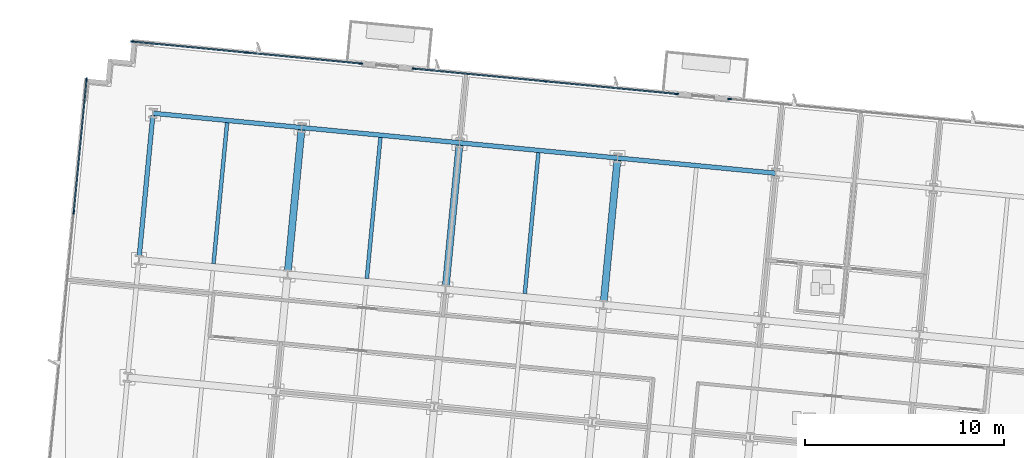
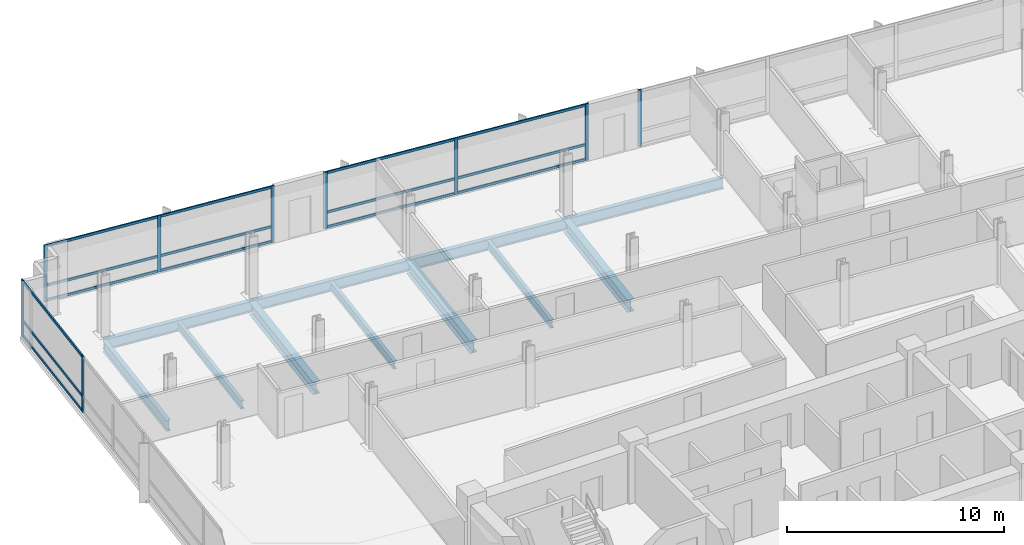
# One storey, part 7 of 16: 24 members, 11 beams, 4 elements without a shape of their own.
"""IFC4 building model written with IfcOpenShell, lengths in metres."""

from ifc_helpers import new_model, si_unit, direction, frame, origin, origin_2d, place, context, subcontext, project, spatial, rectangle, i_section, extrude, material, material_profile, profile_set, type_object, element, aggregate, save


model = new_model("IFC4")

# Units and contexts
model_context = context("Model", 3, precision=1e-05, world=origin(), true_north=direction((0.0, 1.0)))
body_context = subcontext(model_context, "Body", "Model", "MODEL_VIEW")
ifc_project = project(units=[si_unit("LENGTHUNIT", "METRE"), si_unit("AREAUNIT", "SQUARE_METRE"), si_unit("VOLUMEUNIT", "CUBIC_METRE"), si_unit("PLANEANGLEUNIT", "RADIAN"), si_unit("MASSUNIT", "GRAM", prefix="KILO")], contexts=[model_context])

# Site, building, storey
site_placement = place(None, origin())
site = spatial("IfcSite", under=ifc_project, at=site_placement, CompositionType="ELEMENT")
building_placement = place(site_placement, origin())
building = spatial("IfcBuilding", under=site, at=building_placement, Name="Solmavex Isthmus Hotel", CompositionType="ELEMENT")
storey_placement = place(building_placement, frame((0.0, 0.0, 160.050048828125)))
storey = spatial("IfcBuildingStorey", under=building, at=storey_placement, Name="L43", CompositionType="ELEMENT", Elevation=160.050048828125)

# Beams
ifc_material_1 = material(Name="Steel ASTM A992 Grade 50", Category="steel")
ifc_material_profile_1 = material_profile(ifc_material_1, i_section(OverallWidth=0.354736328125, OverallDepth=0.695556640625, WebThickness=0.015380859375, FlangeThickness=0.02490234375, FilletRadius=0.017822265625, at=origin_2d()), Name="W27X146")
ifc_profile_set_1 = profile_set([ifc_material_profile_1], Name="Steel ASTM A992 Grade 50")
beam_type_1 = type_object("IfcBeamType", Name="BM-BG-W27X146", PredefinedType="BEAM", material=ifc_profile_set_1)
beam_1_placement = place(storey_placement, frame((-15.254150390625, 13.07275390625, -0.60791015625), z_axis=(0.095839524498, 0.995396798038, 0.0), x_axis=(-0.995396798038, 0.095839524498, 0.0)))
element("IfcBeam", 1, at=beam_1_placement, inside=storey, type_object=beam_type_1, Name="Floor Beam L43-VG26", PredefinedType="BEAM", context=body_context, shape_type="SweptSolid", body=[
    extrude(i_section(OverallWidth=0.354736328125, OverallDepth=0.695556640625, WebThickness=0.015380859375, FlangeThickness=0.02490234375, FilletRadius=0.017822265625, at=origin_2d()), origin(), (0.0, 0.0, 1.0), 7.099609375),
])
beam_2_placement = place(storey_placement, frame((-7.3349609375, 12.310302734375, -0.60791015625), z_axis=(0.09587687835, 0.9953932008, 0.0), x_axis=(-0.9953932008, 0.09587687835, 0.0)))
element("IfcBeam", 2, at=beam_2_placement, inside=storey, type_object=beam_type_1, Name="Floor Beam L43-VG29", PredefinedType="BEAM", context=body_context, shape_type="SweptSolid", body=[
    extrude(i_section(OverallWidth=0.354736328125, OverallDepth=0.695556640625, WebThickness=0.015380859375, FlangeThickness=0.02490234375, FilletRadius=0.017822265625, at=origin_2d()), origin(), (0.0, 0.0, 1.0), 7.099365234375),
])
beam_3_placement = place(storey_placement, frame((0.58447265625, 11.547607421875, -0.60791015625), z_axis=(0.095839524498, 0.995396798038, 0.0), x_axis=(-0.995396798038, 0.095839524498, 0.0)))
element("IfcBeam", 3, at=beam_3_placement, inside=storey, type_object=beam_type_1, Name="Floor Beam L43-VG32", PredefinedType="BEAM", context=body_context, shape_type="SweptSolid", body=[
    extrude(i_section(OverallWidth=0.354736328125, OverallDepth=0.695556640625, WebThickness=0.015380859375, FlangeThickness=0.02490234375, FilletRadius=0.017822265625, at=origin_2d()), origin(), (0.0, 0.0, 1.0), 7.099609375),
])
ifc_material_profile_2 = material_profile(ifc_material_1, i_section(OverallWidth=0.1904296875, OverallDepth=0.456787109375, WebThickness=0.009033203125, FlangeThickness=0.014404296875, FilletRadius=0.0126953125, at=origin_2d()), Name="W18X50")
ifc_profile_set_2 = profile_set([ifc_material_profile_2], Name="Steel ASTM A992 Grade 50")
beam_type_2 = type_object("IfcBeamType", Name="BM-BJ-W18X50", PredefinedType="JOIST", material=ifc_profile_set_2)
for number, where, z_axis, x_axis, name in (
    (4, (-18.98095703125, 13.431640625, -0.488525390625), (0.095842805175, 0.99539648216, 0.0), (-0.99539648216, 0.095842805175, 0.0), "Secondary Floor Joist L43-J03"),
    (5, (-11.29443359375, 12.691650390625, -0.488525390625), (0.095842805175, 0.99539648216, 0.0), (-0.99539648216, 0.095842805175, 0.0), "Secondary Floor Joist L43-J06"),
    (6, (-3.375244140625, 11.928955078125, -0.488525390625), (0.09587687835, 0.9953932008, 0.0), (-0.9953932008, 0.09587687835, 0.0), "Secondary Floor Joist L43-J09"),
):
    element("IfcBeam", number, at=place(storey_placement, frame(where, z_axis=z_axis, x_axis=x_axis)), inside=storey, type_object=beam_type_2, Name=name, PredefinedType="JOIST", context=body_context, shape_type="SweptSolid", body=[
        extrude(i_section(OverallWidth=0.1904296875, OverallDepth=0.456787109375, WebThickness=0.009033203125, FlangeThickness=0.014404296875, FilletRadius=0.0126953125, at=origin_2d()), origin(), (0.0, 0.0, 1.0), 7.099365234375),
    ])
ifc_material_profile_3 = material_profile(ifc_material_1, i_section(OverallWidth=0.230224609375, OverallDepth=0.617431640625, WebThickness=0.01318359375, FlangeThickness=0.022216796875, FilletRadius=0.01513671875, at=origin_2d()), Name="W24X94")
ifc_profile_set_3 = profile_set([ifc_material_profile_3], Name="Steel ASTM A992 Grade 50")
beam_type_3 = type_object("IfcBeamType", Name="BM-SP-W24X94", PredefinedType="SPANDREL", material=ifc_profile_set_3)
beam_4_placement = place(storey_placement, frame((-22.016357421875, 20.971923828125, -0.56884765625), z_axis=(0.995395279593, -0.095855293875, 0.0), x_axis=(0.095855293875, 0.995395279593, 0.0)))
element("IfcBeam", 7, at=beam_4_placement, inside=storey, type_object=beam_type_3, Name="Floor Girder L43-UG15", PredefinedType="SPANDREL", context=body_context, shape_type="SweptSolid", body=[
    extrude(i_section(OverallWidth=0.230224609375, OverallDepth=0.617431640625, WebThickness=0.01318359375, FlangeThickness=0.022216796875, FilletRadius=0.01513671875, at=origin_2d()), origin(), (0.0, 0.0, 1.0), 7.488037109375),
])
for number, where, z_axis, x_axis, name in (
    (8, (-14.562744140625, 20.254150390625, -0.56884765625), (0.995397440011, -0.095832856685, 0.0), (0.095832856685, 0.995397440011, 0.0), "Floor Girder L43-UG16"),
    (9, (-6.643310546875, 19.49169921875, -0.56884765625), (0.995394512348, -0.095863260885, 0.0), (0.095863260885, 0.995394512348, 0.0), "Floor Girder L43-UG17"),
):
    element("IfcBeam", number, at=place(storey_placement, frame(where, z_axis=z_axis, x_axis=x_axis)), inside=storey, type_object=beam_type_3, Name=name, PredefinedType="SPANDREL", context=body_context, shape_type="SweptSolid", body=[
        extrude(i_section(OverallWidth=0.230224609375, OverallDepth=0.617431640625, WebThickness=0.01318359375, FlangeThickness=0.022216796875, FilletRadius=0.01513671875, at=origin_2d()), origin(), (0.0, 0.0, 1.0), 7.9560546875),
    ])
beam_5_placement = place(storey_placement, frame((1.276123046875, 18.72900390625, -0.56884765625), z_axis=(0.995397158178, -0.095835783981, 0.0), x_axis=(0.095835783981, 0.995397158178, 0.0)))
element("IfcBeam", 10, at=beam_5_placement, inside=storey, type_object=beam_type_3, Name="Floor Girder L43-UG18", PredefinedType="SPANDREL", context=body_context, shape_type="SweptSolid", body=[
    extrude(i_section(OverallWidth=0.230224609375, OverallDepth=0.617431640625, WebThickness=0.01318359375, FlangeThickness=0.022216796875, FilletRadius=0.01513671875, at=origin_2d()), origin(), (0.0, 0.0, 1.0), 7.955810546875),
])
beam_6_placement = place(storey_placement, frame((-22.707763671875, 13.79052734375, -0.56884765625), z_axis=(0.095842805175, 0.99539648216, 0.0), x_axis=(-0.99539648216, 0.095842805175, 0.0)))
element("IfcBeam", 11, at=beam_6_placement, inside=storey, type_object=beam_type_3, Name="Floor Beam L43-VG23", PredefinedType="SPANDREL", context=body_context, shape_type="SweptSolid", body=[
    extrude(i_section(OverallWidth=0.230224609375, OverallDepth=0.617431640625, WebThickness=0.01318359375, FlangeThickness=0.022216796875, FilletRadius=0.01513671875, at=origin_2d()), origin(), (0.0, 0.0, 1.0), 7.099365234375),
])

# Curtain wall, members
ifc_material_2 = material(Name="Aluminium alloy 6063-T6", Category="aluminium")
curtain_wall_type = type_object("IfcCurtainWallType", Name="CW-SYS-03", PredefinedType="NOTDEFINED", material=ifc_material_2)
curtain_wall_1_placement = place(storey_placement, origin())
curtain_wall_1 = element("IfcCurtainWall", 12, at=curtain_wall_1_placement, inside=storey, type_object=curtain_wall_type, Name="Stick Curtain Wall CWL-L43-N1", PredefinedType="NOTDEFINED")
ifc_material_profile_4 = material_profile(ifc_material_2, rectangle(XDim=0.070068359375, YDim=0.179931640625, at=origin_2d()), Name="CWM-70X180")
ifc_profile_set_4 = profile_set([ifc_material_profile_4], Name="Aluminium alloy 6063-T6")
member_type_1 = type_object("IfcMemberType", Name="CW-SYS-03-MUL", PredefinedType="MULLION", material=ifc_profile_set_4)
member_1_placement = place(storey_placement, frame((-23.04150390625, 24.566650390625, 0.0), z_axis=(0.0, 0.0, 1.0), x_axis=(0.095845521008, 0.995396220659, 0.0)))
member_1 = element("IfcMember", 13, at=member_1_placement, type_object=member_type_1, Name="CW-03 mullion 1", PredefinedType="MULLION", context=body_context, shape_type="SweptSolid", body=[
    extrude(rectangle(XDim=0.070068359375, YDim=0.179931640625, at=origin_2d()), origin(), (0.0, 0.0, 1.0), 3.18994140625),
])
member_2_placement = place(storey_placement, frame((-17.31982421875, 24.015869140625, 0.0), z_axis=(0.0, 0.0, 1.0), x_axis=(0.095845521008, 0.995396220659, 0.0)))
member_2 = element("IfcMember", 14, at=member_2_placement, type_object=member_type_1, Name="CW-03 mullion 2", PredefinedType="MULLION", context=body_context, shape_type="SweptSolid", body=[
    extrude(rectangle(XDim=0.070068359375, YDim=0.179931640625, at=origin_2d()), origin(), (0.0, 0.0, 1.0), 3.18994140625),
])
member_3_placement = place(storey_placement, frame((-11.598388671875, 23.46484375, 0.0), z_axis=(0.0, 0.0, 1.0), x_axis=(0.095845521008, 0.995396220659, 0.0)))
member_3 = element("IfcMember", 15, at=member_3_placement, type_object=member_type_1, Name="CW-03 mullion 3", PredefinedType="MULLION", context=body_context, shape_type="SweptSolid", body=[
    extrude(rectangle(XDim=0.070068359375, YDim=0.179931640625, at=origin_2d()), origin(), (0.0, 0.0, 1.0), 3.18994140625),
])

curtain_wall_2_placement = place(storey_placement, origin())
curtain_wall_2 = element("IfcCurtainWall", 16, at=curtain_wall_2_placement, inside=storey, type_object=curtain_wall_type, Name="Stick Curtain Wall CWL-L43-N2", PredefinedType="NOTDEFINED")
member_4_placement = place(storey_placement, frame((-8.940673828125, 23.208984375, 0.0), z_axis=(0.0, 0.0, 1.0), x_axis=(0.095845138178, 0.995396257521, 0.0)))
member_4 = element("IfcMember", 17, at=member_4_placement, type_object=member_type_1, Name="CW-03 mullion 1", PredefinedType="MULLION", context=body_context, shape_type="SweptSolid", body=[
    extrude(rectangle(XDim=0.070068359375, YDim=0.179931640625, at=origin_2d()), origin(), (0.0, 0.0, 1.0), 3.18994140625),
])
member_5_placement = place(storey_placement, frame((-2.35009765625, 22.574462890625, 0.0), z_axis=(0.0, 0.0, 1.0), x_axis=(0.095845138178, 0.995396257521, 0.0)))
member_5 = element("IfcMember", 18, at=member_5_placement, type_object=member_type_1, Name="CW-03 mullion 2", PredefinedType="MULLION", context=body_context, shape_type="SweptSolid", body=[
    extrude(rectangle(XDim=0.070068359375, YDim=0.179931640625, at=origin_2d()), origin(), (0.0, 0.0, 1.0), 3.18994140625),
])
member_6_placement = place(storey_placement, frame((4.240478515625, 21.939697265625, 0.0), z_axis=(0.0, 0.0, 1.0), x_axis=(0.095845138178, 0.995396257521, 0.0)))
member_6 = element("IfcMember", 19, at=member_6_placement, type_object=member_type_1, Name="CW-03 mullion 3", PredefinedType="MULLION", context=body_context, shape_type="SweptSolid", body=[
    extrude(rectangle(XDim=0.070068359375, YDim=0.179931640625, at=origin_2d()), origin(), (0.0, 0.0, 1.0), 3.18994140625),
])

# Curtain wall, member
curtain_wall_3_placement = place(storey_placement, origin())
curtain_wall_3 = element("IfcCurtainWall", 20, at=curtain_wall_3_placement, inside=storey, type_object=curtain_wall_type, Name="Stick Curtain Wall CWL-L43-N3", PredefinedType="NOTDEFINED")
member_7_placement = place(storey_placement, frame((6.898193359375, 21.683837890625, 0.0), z_axis=(0.0, 0.0, 1.0), x_axis=(0.095845735304, 0.995396200025, 0.0)))
member_7 = element("IfcMember", 21, at=member_7_placement, type_object=member_type_1, Name="CW-03 mullion 1", PredefinedType="MULLION", context=body_context, shape_type="SweptSolid", body=[
    extrude(rectangle(XDim=0.070068359375, YDim=0.179931640625, at=origin_2d()), origin(), (0.0, 0.0, 1.0), 3.18994140625),
])
aggregate(curtain_wall_3, [member_7])

# Curtain wall, members
curtain_wall_4_placement = place(storey_placement, origin())
curtain_wall_4 = element("IfcCurtainWall", 22, at=curtain_wall_4_placement, inside=storey, type_object=curtain_wall_type, Name="Stick Curtain Wall CWL-L43-W1", PredefinedType="NOTDEFINED")
member_8_placement = place(storey_placement, frame((-25.990234375, 16.010009765625, 0.0), z_axis=(0.0, 0.0, 1.0), x_axis=(-0.995396190038, 0.09584583902, 0.0)))
member_8 = element("IfcMember", 23, at=member_8_placement, type_object=member_type_1, Name="CW-03 mullion 5", PredefinedType="MULLION", context=body_context, shape_type="SweptSolid", body=[
    extrude(rectangle(XDim=0.070068359375, YDim=0.179931640625, at=origin_2d()), origin(), (0.0, 0.0, 1.0), 3.18994140625),
])
member_9_placement = place(storey_placement, frame((-25.349365234375, 22.6640625, 0.0), z_axis=(0.0, 0.0, 1.0), x_axis=(-0.995396190038, 0.09584583902, 0.0)))
member_9 = element("IfcMember", 24, at=member_9_placement, type_object=member_type_1, Name="CW-03 mullion 6", PredefinedType="MULLION", context=body_context, shape_type="SweptSolid", body=[
    extrude(rectangle(XDim=0.070068359375, YDim=0.179931640625, at=origin_2d()), origin(), (0.0, 0.0, 1.0), 3.18994140625),
])

# Member
ifc_material_profile_5 = material_profile(ifc_material_2, rectangle(XDim=0.070068359375, YDim=0.139892578125, at=origin_2d()), Name="CWT-70X140")
ifc_profile_set_5 = profile_set([ifc_material_profile_5], Name="Aluminium alloy 6063-T6")
member_type_2 = type_object("IfcMemberType", Name="CW-SYS-03-TRN", PredefinedType="USERDEFINED", material=ifc_profile_set_5)
member_10_placement = place(storey_placement, frame((-23.006591796875, 24.563232421875, 0.070068359375), z_axis=(0.995396573568, -0.095841855831, 0.0), x_axis=(0.095841855831, 0.995396573568, 0.0)))
member_10 = element("IfcMember", 25, at=member_10_placement, type_object=member_type_2, Name="CW-03 transom 1.1", ObjectType="TRANSOM", PredefinedType="USERDEFINED", context=body_context, shape_type="SweptSolid", body=[
    extrude(rectangle(XDim=0.070068359375, YDim=0.139892578125, at=origin_2d()), origin(), (0.0, 0.0, 1.0), 5.677978515625),
])

member_11_placement = place(storey_placement, frame((-23.006591796875, 24.563232421875, 0.89990234375), z_axis=(0.995396573568, -0.095841855831, 0.0), x_axis=(0.095841855831, 0.995396573568, 0.0)))
member_11 = element("IfcMember", 26, at=member_11_placement, type_object=member_type_2, Name="CW-03 transom 1.2", ObjectType="TRANSOM", PredefinedType="USERDEFINED", context=body_context, shape_type="SweptSolid", body=[
    extrude(rectangle(XDim=0.070068359375, YDim=0.139892578125, at=origin_2d()), origin(), (0.0, 0.0, 1.0), 5.677978515625),
])

member_12_placement = place(storey_placement, frame((-23.006591796875, 24.563232421875, 3.119873046875), z_axis=(0.995396573568, -0.095841855831, 0.0), x_axis=(0.095841855831, 0.995396573568, 0.0)))
member_12 = element("IfcMember", 27, at=member_12_placement, type_object=member_type_2, Name="CW-03 transom 1.3", ObjectType="TRANSOM", PredefinedType="USERDEFINED", context=body_context, shape_type="SweptSolid", body=[
    extrude(rectangle(XDim=0.070068359375, YDim=0.139892578125, at=origin_2d()), origin(), (0.0, 0.0, 1.0), 5.677978515625),
])

member_13_placement = place(storey_placement, frame((-17.28515625, 24.012451171875, 0.070068359375), z_axis=(0.995396968505, -0.095837753998, 0.0), x_axis=(0.095837753998, 0.995396968505, 0.0)))
member_13 = element("IfcMember", 28, at=member_13_placement, type_object=member_type_2, Name="CW-03 transom 2.1", ObjectType="TRANSOM", PredefinedType="USERDEFINED", context=body_context, shape_type="SweptSolid", body=[
    extrude(rectangle(XDim=0.070068359375, YDim=0.139892578125, at=origin_2d()), origin(), (0.0, 0.0, 1.0), 5.67822265625),
])

member_14_placement = place(storey_placement, frame((-17.28515625, 24.012451171875, 0.89990234375), z_axis=(0.995396968505, -0.095837753998, 0.0), x_axis=(0.095837753998, 0.995396968505, 0.0)))
member_14 = element("IfcMember", 29, at=member_14_placement, type_object=member_type_2, Name="CW-03 transom 2.2", ObjectType="TRANSOM", PredefinedType="USERDEFINED", context=body_context, shape_type="SweptSolid", body=[
    extrude(rectangle(XDim=0.070068359375, YDim=0.139892578125, at=origin_2d()), origin(), (0.0, 0.0, 1.0), 5.67822265625),
])

member_15_placement = place(storey_placement, frame((-17.28515625, 24.012451171875, 3.119873046875), z_axis=(0.995396968505, -0.095837753998, 0.0), x_axis=(0.095837753998, 0.995396968505, 0.0)))
member_15 = element("IfcMember", 30, at=member_15_placement, type_object=member_type_2, Name="CW-03 transom 2.3", ObjectType="TRANSOM", PredefinedType="USERDEFINED", context=body_context, shape_type="SweptSolid", body=[
    extrude(rectangle(XDim=0.070068359375, YDim=0.139892578125, at=origin_2d()), origin(), (0.0, 0.0, 1.0), 5.67822265625),
])

aggregate(curtain_wall_1, [member_1, member_2, member_3, member_10, member_11, member_12, member_13, member_14, member_15])

member_16_placement = place(storey_placement, frame((-8.90576171875, 23.20556640625, 0.070068359375), z_axis=(0.995395431006, -0.095853721538, 0.0), x_axis=(0.095853721538, 0.995395431006, 0.0)))
member_16 = element("IfcMember", 31, at=member_16_placement, type_object=member_type_2, Name="CW-03 transom 1.1", ObjectType="TRANSOM", PredefinedType="USERDEFINED", context=body_context, shape_type="SweptSolid", body=[
    extrude(rectangle(XDim=0.070068359375, YDim=0.139892578125, at=origin_2d()), origin(), (0.0, 0.0, 1.0), 6.551025390625),
])

member_17_placement = place(storey_placement, frame((-8.90576171875, 23.20556640625, 0.89990234375), z_axis=(0.995395431006, -0.095853721538, 0.0), x_axis=(0.095853721538, 0.995395431006, 0.0)))
member_17 = element("IfcMember", 32, at=member_17_placement, type_object=member_type_2, Name="CW-03 transom 1.2", ObjectType="TRANSOM", PredefinedType="USERDEFINED", context=body_context, shape_type="SweptSolid", body=[
    extrude(rectangle(XDim=0.070068359375, YDim=0.139892578125, at=origin_2d()), origin(), (0.0, 0.0, 1.0), 6.551025390625),
])

member_18_placement = place(storey_placement, frame((-8.90576171875, 23.20556640625, 3.119873046875), z_axis=(0.995395431006, -0.095853721538, 0.0), x_axis=(0.095853721538, 0.995395431006, 0.0)))
member_18 = element("IfcMember", 33, at=member_18_placement, type_object=member_type_2, Name="CW-03 transom 1.3", ObjectType="TRANSOM", PredefinedType="USERDEFINED", context=body_context, shape_type="SweptSolid", body=[
    extrude(rectangle(XDim=0.070068359375, YDim=0.139892578125, at=origin_2d()), origin(), (0.0, 0.0, 1.0), 6.551025390625),
])

member_19_placement = place(storey_placement, frame((-2.315185546875, 22.571044921875, 0.070068359375), z_axis=(0.995395431006, -0.095853721538, 0.0), x_axis=(0.095853721538, 0.995395431006, 0.0)))
member_19 = element("IfcMember", 34, at=member_19_placement, type_object=member_type_2, Name="CW-03 transom 2.1", ObjectType="TRANSOM", PredefinedType="USERDEFINED", context=body_context, shape_type="SweptSolid", body=[
    extrude(rectangle(XDim=0.070068359375, YDim=0.139892578125, at=origin_2d()), origin(), (0.0, 0.0, 1.0), 6.551025390625),
])

member_20_placement = place(storey_placement, frame((-2.315185546875, 22.571044921875, 0.89990234375), z_axis=(0.995395431006, -0.095853721538, 0.0), x_axis=(0.095853721538, 0.995395431006, 0.0)))
member_20 = element("IfcMember", 35, at=member_20_placement, type_object=member_type_2, Name="CW-03 transom 2.2", ObjectType="TRANSOM", PredefinedType="USERDEFINED", context=body_context, shape_type="SweptSolid", body=[
    extrude(rectangle(XDim=0.070068359375, YDim=0.139892578125, at=origin_2d()), origin(), (0.0, 0.0, 1.0), 6.551025390625),
])

member_21_placement = place(storey_placement, frame((-2.315185546875, 22.571044921875, 3.119873046875), z_axis=(0.995395431006, -0.095853721538, 0.0), x_axis=(0.095853721538, 0.995395431006, 0.0)))
member_21 = element("IfcMember", 36, at=member_21_placement, type_object=member_type_2, Name="CW-03 transom 2.3", ObjectType="TRANSOM", PredefinedType="USERDEFINED", context=body_context, shape_type="SweptSolid", body=[
    extrude(rectangle(XDim=0.070068359375, YDim=0.139892578125, at=origin_2d()), origin(), (0.0, 0.0, 1.0), 6.551025390625),
])

aggregate(curtain_wall_2, [member_4, member_5, member_6, member_16, member_17, member_18, member_19, member_20, member_21])

member_22_placement = place(storey_placement, frame((-25.98681640625, 16.044677734375, 0.070068359375), z_axis=(0.095845316679, 0.995396240334, 0.0), x_axis=(-0.995396240334, 0.095845316679, 0.0)))
member_22 = element("IfcMember", 37, at=member_22_placement, type_object=member_type_2, Name="CW-03 transom 5.1", ObjectType="TRANSOM", PredefinedType="USERDEFINED", context=body_context, shape_type="SweptSolid", body=[
    extrude(rectangle(XDim=0.070068359375, YDim=0.139892578125, at=origin_2d()), origin(), (0.0, 0.0, 1.0), 6.615234375),
])

member_23_placement = place(storey_placement, frame((-25.98681640625, 16.044677734375, 0.89990234375), z_axis=(0.095845316679, 0.995396240334, 0.0), x_axis=(-0.995396240334, 0.095845316679, 0.0)))
member_23 = element("IfcMember", 38, at=member_23_placement, type_object=member_type_2, Name="CW-03 transom 5.2", ObjectType="TRANSOM", PredefinedType="USERDEFINED", context=body_context, shape_type="SweptSolid", body=[
    extrude(rectangle(XDim=0.070068359375, YDim=0.139892578125, at=origin_2d()), origin(), (0.0, 0.0, 1.0), 6.615234375),
])

member_24_placement = place(storey_placement, frame((-25.98681640625, 16.044677734375, 3.119873046875), z_axis=(0.095845316679, 0.995396240334, 0.0), x_axis=(-0.995396240334, 0.095845316679, 0.0)))
member_24 = element("IfcMember", 39, at=member_24_placement, type_object=member_type_2, Name="CW-03 transom 5.3", ObjectType="TRANSOM", PredefinedType="USERDEFINED", context=body_context, shape_type="SweptSolid", body=[
    extrude(rectangle(XDim=0.070068359375, YDim=0.139892578125, at=origin_2d()), origin(), (0.0, 0.0, 1.0), 6.615234375),
])

aggregate(curtain_wall_4, [member_8, member_9, member_22, member_23, member_24])

save(model, "model.ifc")
